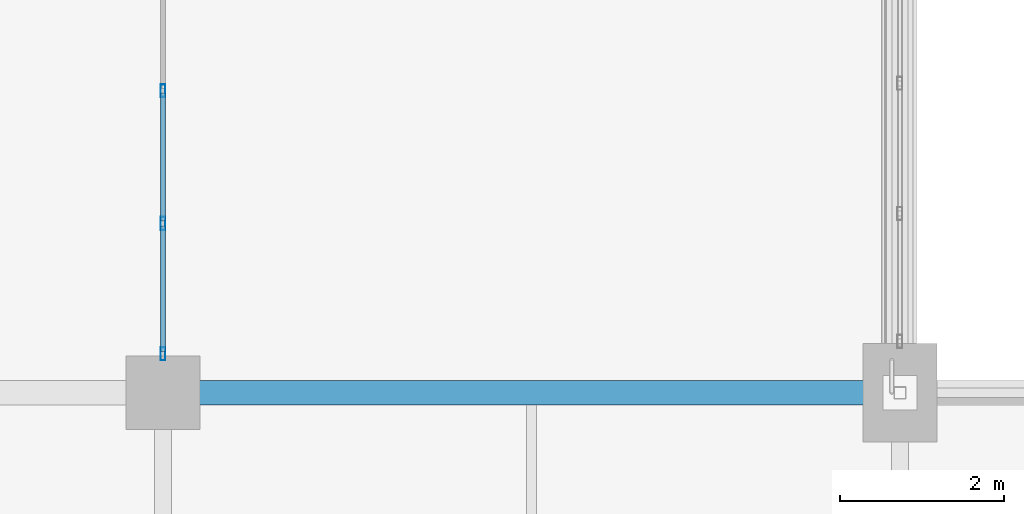
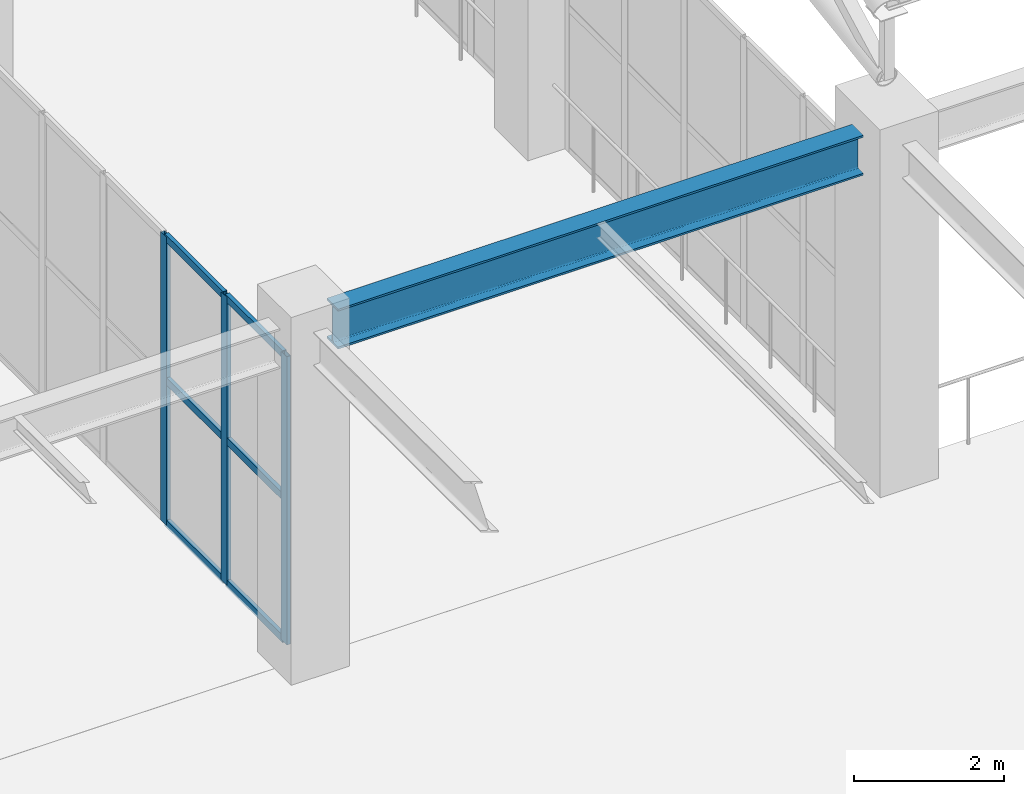
# One storey, part 27 of 223: 9 members, 1 beam, 1 element without a shape of its own.
"""IFC4 building model written with IfcOpenShell, lengths in metres."""

import ifcopenshell
import ifcopenshell.guid

model = None  # the IFC model being written
_history = None  # IfcOwnerHistory: only IFC2X3 demands one
_inside = {}  # id of a spatial element -> (the spatial element, [elements in it])
_under = {}  # id of a project, library or spatial element -> (it, [spatial elements below it])
_declared = {}  # id of a project -> (the project, [libraries it declares])
_typed = {}  # id of a type object -> (the type object, [elements of that type])
_made_of = {}  # id of a material, layer set ... -> (it, [elements and type objects made of it])


def new_model(schema):
    """Start an empty IFC model of exactly this schema.

    Asked for "IFC4X3", IfcOpenShell would pick the latest addendum, in which some entities
    have other attributes; the version numbers below select the first issue.
    IFC2X3 requires an IfcOwnerHistory on every rooted entity: one is made here for all.
    """
    global model, _history
    if schema == "IFC4X3":
        model = ifcopenshell.file(schema_version=(4, 3, 0, 0))
    else:
        model = ifcopenshell.file(schema=schema)
    _inside.clear()
    _under.clear()
    _declared.clear()
    _typed.clear()
    _made_of.clear()
    _history = None
    if model.schema == "IFC2X3":
        org = make("IfcOrganization", Name="unknown")
        user = make(
            "IfcPersonAndOrganization",
            ThePerson=make("IfcPerson", FamilyName="unknown"),
            TheOrganization=org,
        )
        app = make(
            "IfcApplication",
            ApplicationDeveloper=org,
            Version="unknown",
            ApplicationFullName="unknown",
            ApplicationIdentifier="unknown",
        )
        _history = make(
            "IfcOwnerHistory",
            OwningUser=user,
            OwningApplication=app,
            ChangeAction="ADDED",
            CreationDate=0,
        )
    return model


def make(cls, **values):
    """One entity of the class cls with the attributes given. An attribute that is None is left unset."""
    return model.create_entity(
        cls, **{name: value for name, value in values.items() if value is not None}
    )


def rooted(cls, **values):
    """An entity with a GlobalId (a new one), such as an element, a storey or a relation."""
    return make(cls, GlobalId=ifcopenshell.guid.new(), OwnerHistory=_history, **values)


def si_unit(unit_type, name, prefix=None):
    """IfcSIUnit, for example si_unit("LENGTHUNIT", "METRE", prefix="MILLI")."""
    return make("IfcSIUnit", UnitType=unit_type, Prefix=prefix, Name=name)


def assignment(units):
    """IfcUnitAssignment: the units of a project."""
    return None if units is None else make("IfcUnitAssignment", Units=units)


def point(xyz):
    """IfcCartesianPoint."""
    return None if xyz is None else make("IfcCartesianPoint", Coordinates=xyz)


def direction(xyz):
    """IfcDirection."""
    return None if xyz is None else make("IfcDirection", DirectionRatios=xyz)


def frame(location, z_axis=None, x_axis=None):
    """IfcAxis2Placement3D, a coordinate frame: its origin and axes. An axis left out is left unset."""
    return make(
        "IfcAxis2Placement3D",
        Location=point(location),
        Axis=direction(z_axis),
        RefDirection=direction(x_axis),
    )


def frame_2d(location, x_axis=None):
    """IfcAxis2Placement2D, a coordinate frame in the plane: its origin and x axis."""
    return make(
        "IfcAxis2Placement2D", Location=point(location), RefDirection=direction(x_axis)
    )


def origin():
    """The frame at (0, 0, 0) with its axes left unset."""
    return frame((0.0, 0.0, 0.0))


def origin_2d():
    """The frame at (0, 0) in the plane with its x axis left unset."""
    return frame_2d((0.0, 0.0))


def place(relative_to, where):
    """IfcLocalPlacement: puts the frame where relative to a parent placement (None: the world)."""
    return make(
        "IfcLocalPlacement", PlacementRelTo=relative_to, RelativePlacement=where
    )


def context(
    kind, dimensions, precision=None, world=None, true_north=None, identifier=None
):
    """IfcGeometricRepresentationContext, for example the 3D "Model" context."""
    return make(
        "IfcGeometricRepresentationContext",
        ContextIdentifier=identifier,
        ContextType=kind,
        CoordinateSpaceDimension=dimensions,
        Precision=precision,
        WorldCoordinateSystem=world,
        TrueNorth=true_north,
    )


def subcontext(parent, identifier, kind, view, scale=None):
    """IfcGeometricRepresentationSubContext, for example "Body" below "Model"."""
    return make(
        "IfcGeometricRepresentationSubContext",
        ContextIdentifier=identifier,
        ContextType=kind,
        ParentContext=parent,
        TargetScale=scale,
        TargetView=view,
    )


def project(units=None, contexts=None):
    """IfcProject with its units and contexts."""
    return rooted(
        "IfcProject",
        Name="project",
        RepresentationContexts=contexts,
        UnitsInContext=assignment(units),
    )


def spatial(cls, under=None, at=None, **own):
    """A site, building, storey or space (cls), placed at a placement, below another one or the project."""
    s = rooted(cls, ObjectPlacement=at, **own)
    if under is not None:
        _under.setdefault(under.id(), (under, []))[1].append(s)
    return s


def profile(cls, at=None, kind="AREA", **sizes):
    """A parametric profile (cls). Its sizes go by their IFC names, for example OverallWidth=200.0."""
    return make(cls, ProfileType=kind, Position=at, **sizes)


def hollow_rectangle(**sizes):
    """IfcRectangleHollowProfileDef."""
    return profile("IfcRectangleHollowProfileDef", **sizes)


def i_section(**sizes):
    """IfcIShapeProfileDef."""
    return profile("IfcIShapeProfileDef", **sizes)


def extrude(swept, where, along, depth):
    """IfcExtrudedAreaSolid: the profile swept, set in the frame where, extruded along a direction by depth."""
    return make(
        "IfcExtrudedAreaSolid",
        SweptArea=swept,
        Position=where,
        ExtrudedDirection=direction(along),
        Depth=depth,
    )


def shape(context_of_items, identifier, shape_type, items):
    """IfcShapeRepresentation: the items that make up one representation, for example the "Body"."""
    return make(
        "IfcShapeRepresentation",
        ContextOfItems=context_of_items,
        RepresentationIdentifier=identifier,
        RepresentationType=shape_type,
        Items=items,
    )


def material(Name=None, Category=None):
    """IfcMaterial."""
    return make("IfcMaterial", Name=Name, Category=Category)


def layer(
    of_material, thickness, ventilated=None, Name=None, Category=None, Priority=None
):
    """IfcMaterialLayer: one layer of a wall or slab, of a material (None: an air gap)."""
    return make(
        "IfcMaterialLayer",
        Material=of_material,
        LayerThickness=thickness,
        IsVentilated=ventilated,
        Name=Name,
        Category=Category,
        Priority=Priority,
    )


def layer_set(layers, Name=None):
    """IfcMaterialLayerSet."""
    return make("IfcMaterialLayerSet", MaterialLayers=layers, LayerSetName=Name)


def material_profile(
    of_material, cross_section, Name=None, Category=None, Priority=None
):
    """IfcMaterialProfile: a cross section and its material."""
    return make(
        "IfcMaterialProfile",
        Name=Name,
        Material=of_material,
        Profile=cross_section,
        Priority=Priority,
        Category=Category,
    )


def profile_set(profiles, Name=None, composite=None):
    """IfcMaterialProfileSet."""
    return make(
        "IfcMaterialProfileSet",
        Name=Name,
        MaterialProfiles=profiles,
        CompositeProfile=composite,
    )


def made_of(thing, what):
    """Note that an element or type object is made of a material, layer set ...; save() writes the relation."""
    if what is not None:
        _made_of.setdefault(what.id(), (what, []))[1].append(thing)
    return thing


def type_object(cls, material=None, **own):
    """A type object (cls), such as IfcWallType, which elements share."""
    return made_of(rooted(cls, **own), material)


def element(
    cls,
    number,
    at=None,
    inside=None,
    cuts=None,
    type_object=None,
    material=None,
    context=None,
    identifier="Body",
    shape_type=None,
    held_by="IfcProductDefinitionShape",
    body=None,
    shapes=None,
    **own,
):
    """One element of the class cls, such as IfcWall. Its Tag is "e" and its number.

    at: its placement. inside: the storey or other place that contains it. cuts: it is an
    opening in that element (IfcRelVoidsElement). A single representation is given by context,
    identifier, shape_type and body (its items); several are given by shapes. held_by: the class
    of the entity that holds the representations. save() writes the other relations.
    """
    e = rooted(cls, Tag="e%d" % number, ObjectPlacement=at, **own)
    if body is not None:
        shapes = [shape(context, identifier, shape_type, body)]
    if shapes is not None:
        e.Representation = make(held_by, Representations=shapes)
    if inside is not None:
        _inside.setdefault(inside.id(), (inside, []))[1].append(e)
    if cuts is not None:
        rooted(
            "IfcRelVoidsElement", RelatingBuildingElement=cuts, RelatedOpeningElement=e
        )
    if type_object is not None:
        _typed.setdefault(type_object.id(), (type_object, []))[1].append(e)
    return made_of(e, material)


def aggregate(whole, parts):
    """IfcRelAggregates: a whole, such as a stair, and the parts it consists of."""
    return rooted("IfcRelAggregates", RelatingObject=whole, RelatedObjects=parts)


def save(model, path):
    """Write the relations noted so far, then the file.

    IfcRelAggregates (storeys below a building ...), IfcRelContainedInSpatialStructure (elements
    in a storey), IfcRelDefinesByType, IfcRelAssociatesMaterial and IfcRelDeclares: one each for
    every whole, place, type object, material and project.
    """
    for whole, parts in _under.values():
        aggregate(whole, parts)
    for where, things in _inside.values():
        rooted(
            "IfcRelContainedInSpatialStructure",
            RelatedElements=things,
            RelatingStructure=where,
        )
    for kind, things in _typed.values():
        rooted("IfcRelDefinesByType", RelatedObjects=things, RelatingType=kind)
    for what, things in _made_of.values():
        rooted("IfcRelAssociatesMaterial", RelatedObjects=things, RelatingMaterial=what)
    for by, libraries in _declared.values():
        rooted("IfcRelDeclares", RelatingContext=by, RelatedDefinitions=libraries)
    model.write(path)


model = new_model("IFC4")

# Units and contexts
model_context = context("Model", 3, precision=1e-05, world=origin(), true_north=direction((0.0, 1.0)))
body_context = subcontext(model_context, "Body", "Model", "MODEL_VIEW")
ifc_project = project(units=[si_unit("LENGTHUNIT", "METRE"), si_unit("AREAUNIT", "SQUARE_METRE"), si_unit("VOLUMEUNIT", "CUBIC_METRE"), si_unit("PLANEANGLEUNIT", "RADIAN"), si_unit("MASSUNIT", "GRAM", prefix="KILO")], contexts=[model_context])

# Site, building, storey
site_placement = place(None, origin())
site = spatial("IfcSite", under=ifc_project, at=site_placement, CompositionType="ELEMENT")
building_placement = place(site_placement, origin())
building = spatial("IfcBuilding", under=site, at=building_placement, Name="Dornveld Trade and Exhibition Forum", CompositionType="ELEMENT")
storey_placement = place(building_placement, frame((0.0, 0.0, 6.0)))
storey = spatial("IfcBuildingStorey", under=building, at=storey_placement, Name="L01", CompositionType="ELEMENT", Elevation=6.0)

# Beam
ifc_material_1 = material(Name="Steel S355J2", Category="steel")
ifc_material_profile_1 = material_profile(ifc_material_1, i_section(OverallWidth=0.300048828125, OverallDepth=0.64990234375, WebThickness=0.01611328125, FlangeThickness=0.031005859375, FilletRadius=0.027099609375, at=origin_2d()), Name="HEB 650")
ifc_profile_set_1 = profile_set([ifc_material_profile_1], Name="Steel S355J2")
beam_type = type_object("IfcBeamType", Name="BM-GIR-HEB650", PredefinedType="USERDEFINED", material=ifc_profile_set_1)
beam_placement = place(storey_placement, frame((90.446044921875, 108.0, 5.31494140625), z_axis=(1.0, 0.0, 0.0), x_axis=(0.0, 1.0, 0.0)))
element("IfcBeam", 1, at=beam_placement, inside=storey, type_object=beam_type, Name="L01 X-girder 1191", ObjectType="GIRDER", PredefinedType="USERDEFINED", context=body_context, shape_type="SweptSolid", body=[
    extrude(i_section(OverallWidth=0.300048828125, OverallDepth=0.64990234375, WebThickness=0.01611328125, FlangeThickness=0.031005859375, FilletRadius=0.027099609375, at=origin_2d()), origin(), (0.0, 0.0, 1.0), 8.10791015625),
])

# Curtain wall, members
ifc_material_2 = material(Name="Dark-bronze anodised aluminium and low-E glass", Category="aluminium")
ifc_layer = layer(ifc_material_2, 0.14794921875)
ifc_layer_set = layer_set([ifc_layer], Name="Dark-bronze anodised aluminium and low-E glass")
curtain_wall_type = type_object("IfcCurtainWallType", Name="CW-SYS-02", PredefinedType="USERDEFINED", material=ifc_layer_set)
curtain_wall_placement = place(storey_placement, origin())
curtain_wall = element("IfcCurtainWall", 2, at=curtain_wall_placement, inside=storey, type_object=curtain_wall_type, Name="L01 unitised curtain wall 146", ObjectType="UNITISED_CURTAIN_WALL", PredefinedType="USERDEFINED")
ifc_material_3 = material(Name="Dark-bronze anodised aluminium", Category="aluminium")
ifc_material_profile_2 = material_profile(ifc_material_3, hollow_rectangle(XDim=0.06005859375, YDim=0.159912109375, WallThickness=0.00390625, at=origin_2d()), Name="RHS 160x60x4")
ifc_profile_set_2 = profile_set([ifc_material_profile_2], Name="Dark-bronze anodised aluminium")
member_type_1 = type_object("IfcMemberType", Name="CW-MUL-160", PredefinedType="MULLION", material=ifc_profile_set_2)
member_1_placement = place(storey_placement, frame((90.0, 111.689208984375, -0.00390625), z_axis=(0.0, 0.0, 1.0), x_axis=(1.0, 0.0, 0.0)))
member_1 = element("IfcMember", 3, at=member_1_placement, type_object=member_type_1, Name="CW-02 mullion 4", PredefinedType="MULLION", context=body_context, shape_type="SweptSolid", body=[
    extrude(hollow_rectangle(XDim=0.06005859375, YDim=0.159912109375, WallThickness=0.00390625, at=origin_2d()), origin(), (0.0, 0.0, 1.0), 4.703857421875),
])
member_2_placement = place(storey_placement, frame((90.0, 110.067626953125, -0.00390625), z_axis=(0.0, 0.0, 1.0), x_axis=(1.0, 0.0, 0.0)))
member_2 = element("IfcMember", 4, at=member_2_placement, type_object=member_type_1, Name="CW-02 mullion 5", PredefinedType="MULLION", context=body_context, shape_type="SweptSolid", body=[
    extrude(hollow_rectangle(XDim=0.06005859375, YDim=0.159912109375, WallThickness=0.00390625, at=origin_2d()), origin(), (0.0, 0.0, 1.0), 4.703857421875),
])
member_3_placement = place(storey_placement, frame((90.0, 108.47607421875, -0.00390625), z_axis=(0.0, 0.0, 1.0), x_axis=(1.0, 0.0, 0.0)))
member_3 = element("IfcMember", 5, at=member_3_placement, type_object=member_type_1, Name="CW-02 mullion 6", PredefinedType="MULLION", context=body_context, shape_type="SweptSolid", body=[
    extrude(hollow_rectangle(XDim=0.06005859375, YDim=0.159912109375, WallThickness=0.00390625, at=origin_2d()), origin(), (0.0, 0.0, 1.0), 4.703857421875),
])
ifc_material_4 = material(Name="Dark-bronze anodised aluminium", Category="aluminium")
ifc_material_profile_3 = material_profile(ifc_material_4, hollow_rectangle(XDim=0.06005859375, YDim=0.1201171875, WallThickness=0.00390625, at=origin_2d()), Name="RHS 120x60x4")
ifc_profile_set_3 = profile_set([ifc_material_profile_3], Name="Dark-bronze anodised aluminium")
member_type_2 = type_object("IfcMemberType", Name="CW-TRN-120", PredefinedType="USERDEFINED", material=ifc_profile_set_3)
member_4_placement = place(storey_placement, frame((90.0, 111.6591796875, 0.02587890625), z_axis=(0.0, -1.0, 0.0), x_axis=(1.0, 0.0, 0.0)))
member_4 = element("IfcMember", 6, at=member_4_placement, type_object=member_type_2, Name="CW-02 transom 4.1", ObjectType="TRANSOM", PredefinedType="USERDEFINED", context=body_context, shape_type="SweptSolid", body=[
    extrude(hollow_rectangle(XDim=0.06005859375, YDim=0.1201171875, WallThickness=0.00390625, at=origin_2d()), origin(), (0.0, 0.0, 1.0), 1.5615234375),
])
member_5_placement = place(storey_placement, frame((90.0, 111.6591796875, 2.347900390625), z_axis=(0.0, -1.0, 0.0), x_axis=(1.0, 0.0, 0.0)))
member_5 = element("IfcMember", 7, at=member_5_placement, type_object=member_type_2, Name="CW-02 transom 4.2", ObjectType="TRANSOM", PredefinedType="USERDEFINED", context=body_context, shape_type="SweptSolid", body=[
    extrude(hollow_rectangle(XDim=0.06005859375, YDim=0.1201171875, WallThickness=0.00390625, at=origin_2d()), origin(), (0.0, 0.0, 1.0), 1.5615234375),
])
member_6_placement = place(storey_placement, frame((90.0, 111.6591796875, 4.669921875), z_axis=(0.0, -1.0, 0.0), x_axis=(1.0, 0.0, 0.0)))
member_6 = element("IfcMember", 8, at=member_6_placement, type_object=member_type_2, Name="CW-02 transom 4.3", ObjectType="TRANSOM", PredefinedType="USERDEFINED", context=body_context, shape_type="SweptSolid", body=[
    extrude(hollow_rectangle(XDim=0.06005859375, YDim=0.1201171875, WallThickness=0.00390625, at=origin_2d()), origin(), (0.0, 0.0, 1.0), 1.5615234375),
])
member_7_placement = place(storey_placement, frame((90.0, 110.03759765625, 0.02587890625), z_axis=(0.0, -1.0, 0.0), x_axis=(1.0, 0.0, 0.0)))
member_7 = element("IfcMember", 9, at=member_7_placement, type_object=member_type_2, Name="CW-02 transom 5.1", ObjectType="TRANSOM", PredefinedType="USERDEFINED", context=body_context, shape_type="SweptSolid", body=[
    extrude(hollow_rectangle(XDim=0.06005859375, YDim=0.1201171875, WallThickness=0.00390625, at=origin_2d()), origin(), (0.0, 0.0, 1.0), 1.531494140625),
])
member_8_placement = place(storey_placement, frame((90.0, 110.03759765625, 2.347900390625), z_axis=(0.0, -1.0, 0.0), x_axis=(1.0, 0.0, 0.0)))
member_8 = element("IfcMember", 10, at=member_8_placement, type_object=member_type_2, Name="CW-02 transom 5.2", ObjectType="TRANSOM", PredefinedType="USERDEFINED", context=body_context, shape_type="SweptSolid", body=[
    extrude(hollow_rectangle(XDim=0.06005859375, YDim=0.1201171875, WallThickness=0.00390625, at=origin_2d()), origin(), (0.0, 0.0, 1.0), 1.531494140625),
])
member_9_placement = place(storey_placement, frame((90.0, 110.03759765625, 4.669921875), z_axis=(0.0, -1.0, 0.0), x_axis=(1.0, 0.0, 0.0)))
member_9 = element("IfcMember", 11, at=member_9_placement, type_object=member_type_2, Name="CW-02 transom 5.3", ObjectType="TRANSOM", PredefinedType="USERDEFINED", context=body_context, shape_type="SweptSolid", body=[
    extrude(hollow_rectangle(XDim=0.06005859375, YDim=0.1201171875, WallThickness=0.00390625, at=origin_2d()), origin(), (0.0, 0.0, 1.0), 1.531494140625),
])
aggregate(curtain_wall, [member_1, member_2, member_3, member_4, member_5, member_6, member_7, member_8, member_9])

save(model, "model.ifc")
